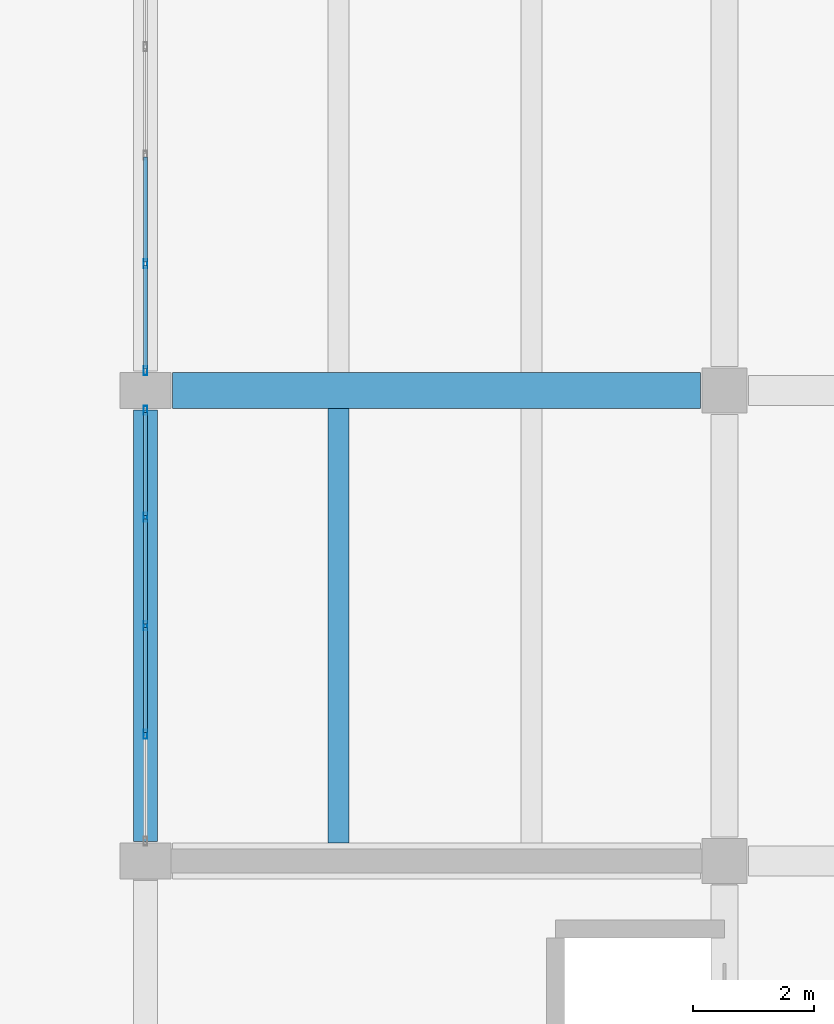
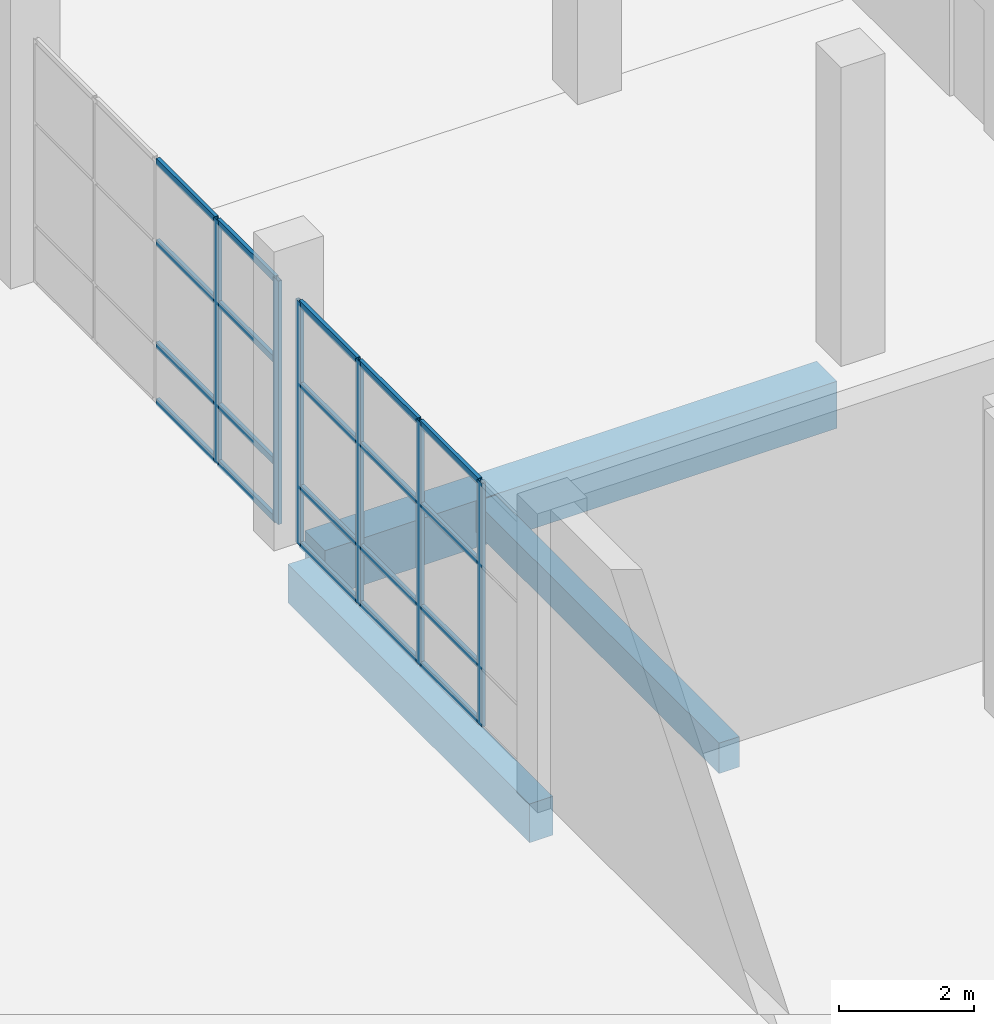
# One storey, part 37 of 78: 26 members, 3 beams, 2 elements without a shape of their own.
"""IFC4 building model written with IfcOpenShell, lengths in metres."""

from ifc_helpers import new_model, si_unit, direction, frame, origin, origin_2d, place, context, subcontext, project, spatial, rectangle, hollow_rectangle, extrude, material, material_profile, profile_set, type_object, element, aggregate, save


model = new_model("IFC4")

# Units and contexts
model_context = context("Model", 3, precision=1e-05, world=origin(), true_north=direction((0.0, 1.0)))
body_context = subcontext(model_context, "Body", "Model", "MODEL_VIEW")
ifc_project = project(units=[si_unit("LENGTHUNIT", "METRE"), si_unit("AREAUNIT", "SQUARE_METRE"), si_unit("VOLUMEUNIT", "CUBIC_METRE"), si_unit("PLANEANGLEUNIT", "RADIAN"), si_unit("MASSUNIT", "GRAM", prefix="KILO")], contexts=[model_context])

# Site, building, storey
site_placement = place(None, origin())
site = spatial("IfcSite", under=ifc_project, at=site_placement, CompositionType="ELEMENT")
building_placement = place(site_placement, origin())
building = spatial("IfcBuilding", under=site, at=building_placement, Name="Pellamere Symphony Hall", CompositionType="ELEMENT")
storey_placement = place(building_placement, origin())
storey = spatial("IfcBuildingStorey", under=building, at=storey_placement, Name="L00", CompositionType="ELEMENT", Elevation=0.0)

# Curtain wall, members
ifc_material_1 = material(Name="Thermally Broken Anodised Aluminium 6063-T6 Curtain Wall", Category="aluminium")
curtain_wall_type = type_object("IfcCurtainWallType", Name="Curtain Wall CW-05 (Artists Wing North Studio Ribbon Curtain Wall)", PredefinedType="NOTDEFINED", material=ifc_material_1)
curtain_wall_1_placement = place(storey_placement, origin())
curtain_wall_1 = element("IfcCurtainWall", 1, at=curtain_wall_1_placement, inside=storey, type_object=curtain_wall_type, Name="Sculpture Court East Wing Curtain Wall (L00 Bay 1)", PredefinedType="NOTDEFINED")
ifc_material_2 = material(Name="Anodised Architectural Aluminium 6063-T6", Category="aluminium")
ifc_material_profile_1 = material_profile(ifc_material_2, hollow_rectangle(XDim=0.06005859375, YDim=0.14990234375, WallThickness=0.00390625, at=origin_2d()), Name="ALU-M60X150X4")
ifc_profile_set_1 = profile_set([ifc_material_profile_1], Name="Anodised Architectural Aluminium 6063-T6")
member_type_1 = type_object("IfcMemberType", Name="Curtain Wall Mullion ML-03 ALU-M60X150X4", PredefinedType="MULLION", material=ifc_profile_set_1)
member_1_placement = place(storey_placement, frame((138.0, 63.89990234375, 0.0), z_axis=(0.0, 0.0, 1.0), x_axis=(-1.0, 0.0, 0.0)))
member_1 = element("IfcMember", 2, at=member_1_placement, type_object=member_type_1, Name="CW5-126 crystal mullion 2", PredefinedType="MULLION", context=body_context, shape_type="SweptSolid", body=[
    extrude(hollow_rectangle(XDim=0.06005859375, YDim=0.14990234375, WallThickness=0.00390625, at=origin_2d()), origin(), (0.0, 0.0, 1.0), 4.39990234375),
])
member_2_placement = place(storey_placement, frame((138.0, 65.699951171875, 0.0), z_axis=(0.0, 0.0, 1.0), x_axis=(-1.0, 0.0, 0.0)))
member_2 = element("IfcMember", 3, at=member_2_placement, type_object=member_type_1, Name="CW5-126 crystal mullion 3", PredefinedType="MULLION", context=body_context, shape_type="SweptSolid", body=[
    extrude(hollow_rectangle(XDim=0.06005859375, YDim=0.14990234375, WallThickness=0.00390625, at=origin_2d()), origin(), (0.0, 0.0, 1.0), 4.39990234375),
])
member_3_placement = place(storey_placement, frame((138.0, 67.5, 0.0), z_axis=(0.0, 0.0, 1.0), x_axis=(-1.0, 0.0, 0.0)))
member_3 = element("IfcMember", 4, at=member_3_placement, type_object=member_type_1, Name="CW5-126 crystal mullion 4", PredefinedType="MULLION", context=body_context, shape_type="SweptSolid", body=[
    extrude(hollow_rectangle(XDim=0.06005859375, YDim=0.14990234375, WallThickness=0.00390625, at=origin_2d()), origin(), (0.0, 0.0, 1.0), 4.39990234375),
])
member_4_placement = place(storey_placement, frame((138.0, 69.27001953125, 0.0), z_axis=(0.0, 0.0, 1.0), x_axis=(-1.0, 0.0, 0.0)))
member_4 = element("IfcMember", 5, at=member_4_placement, type_object=member_type_1, Name="CW5-126 crystal mullion 5", PredefinedType="MULLION", context=body_context, shape_type="SweptSolid", body=[
    extrude(hollow_rectangle(XDim=0.06005859375, YDim=0.14990234375, WallThickness=0.00390625, at=origin_2d()), origin(), (0.0, 0.0, 1.0), 4.39990234375),
])

curtain_wall_2_placement = place(storey_placement, origin())
curtain_wall_2 = element("IfcCurtainWall", 6, at=curtain_wall_2_placement, inside=storey, type_object=curtain_wall_type, Name="Sculpture Court East Wing Curtain Wall (L00 Bay 2)", PredefinedType="NOTDEFINED")
member_5_placement = place(storey_placement, frame((138.0, 69.929931640625, 0.0), z_axis=(0.0, 0.0, 1.0), x_axis=(-1.0, 0.0, 0.0)))
member_5 = element("IfcMember", 7, at=member_5_placement, type_object=member_type_1, Name="CW5-127 crystal mullion 1", PredefinedType="MULLION", context=body_context, shape_type="SweptSolid", body=[
    extrude(hollow_rectangle(XDim=0.06005859375, YDim=0.14990234375, WallThickness=0.00390625, at=origin_2d()), origin(), (0.0, 0.0, 1.0), 4.39990234375),
])
member_6_placement = place(storey_placement, frame((138.0, 71.699951171875, 0.0), z_axis=(0.0, 0.0, 1.0), x_axis=(-1.0, 0.0, 0.0)))
member_6 = element("IfcMember", 8, at=member_6_placement, type_object=member_type_1, Name="CW5-127 crystal mullion 2", PredefinedType="MULLION", context=body_context, shape_type="SweptSolid", body=[
    extrude(hollow_rectangle(XDim=0.06005859375, YDim=0.14990234375, WallThickness=0.00390625, at=origin_2d()), origin(), (0.0, 0.0, 1.0), 4.39990234375),
])

# Member
ifc_material_profile_2 = material_profile(ifc_material_2, hollow_rectangle(XDim=0.06005859375, YDim=0.1201171875, WallThickness=0.00390625, at=origin_2d()), Name="ALU-T60X120X4")
ifc_profile_set_2 = profile_set([ifc_material_profile_2], Name="Anodised Architectural Aluminium 6063-T6")
member_type_2 = type_object("IfcMemberType", Name="Curtain Wall Transom TR-03 ALU-T60X120X4", PredefinedType="USERDEFINED", material=ifc_profile_set_2)
member_7_placement = place(storey_placement, frame((138.0, 63.929931640625, 0.030029296875), z_axis=(0.0, 1.0, 0.0), x_axis=(-1.0, 0.0, 0.0)))
member_7 = element("IfcMember", 9, at=member_7_placement, type_object=member_type_2, Name="CW5-126 crystal transom 2.1", ObjectType="TRANSOM", PredefinedType="USERDEFINED", context=body_context, shape_type="SweptSolid", body=[
    extrude(hollow_rectangle(XDim=0.06005859375, YDim=0.1201171875, WallThickness=0.00390625, at=origin_2d()), origin(), (0.0, 0.0, 1.0), 1.739990234375),
])

member_8_placement = place(storey_placement, frame((138.0, 63.929931640625, 1.055908203125), z_axis=(0.0, 1.0, 0.0), x_axis=(-1.0, 0.0, 0.0)))
member_8 = element("IfcMember", 10, at=member_8_placement, type_object=member_type_2, Name="CW5-126 crystal transom 2.2", ObjectType="TRANSOM", PredefinedType="USERDEFINED", context=body_context, shape_type="SweptSolid", body=[
    extrude(hollow_rectangle(XDim=0.06005859375, YDim=0.1201171875, WallThickness=0.00390625, at=origin_2d()), origin(), (0.0, 0.0, 1.0), 1.739990234375),
])

member_9_placement = place(storey_placement, frame((138.0, 63.929931640625, 2.904052734375), z_axis=(0.0, 1.0, 0.0), x_axis=(-1.0, 0.0, 0.0)))
member_9 = element("IfcMember", 11, at=member_9_placement, type_object=member_type_2, Name="CW5-126 crystal transom 2.3", ObjectType="TRANSOM", PredefinedType="USERDEFINED", context=body_context, shape_type="SweptSolid", body=[
    extrude(hollow_rectangle(XDim=0.06005859375, YDim=0.1201171875, WallThickness=0.00390625, at=origin_2d()), origin(), (0.0, 0.0, 1.0), 1.739990234375),
])

member_10_placement = place(storey_placement, frame((138.0, 63.929931640625, 4.3701171875), z_axis=(0.0, 1.0, 0.0), x_axis=(-1.0, 0.0, 0.0)))
member_10 = element("IfcMember", 12, at=member_10_placement, type_object=member_type_2, Name="CW5-126 crystal transom 2.4", ObjectType="TRANSOM", PredefinedType="USERDEFINED", context=body_context, shape_type="SweptSolid", body=[
    extrude(hollow_rectangle(XDim=0.06005859375, YDim=0.1201171875, WallThickness=0.00390625, at=origin_2d()), origin(), (0.0, 0.0, 1.0), 1.739990234375),
])

member_11_placement = place(storey_placement, frame((138.0, 65.72998046875, 0.030029296875), z_axis=(0.0, 1.0, 0.0), x_axis=(-1.0, 0.0, 0.0)))
member_11 = element("IfcMember", 13, at=member_11_placement, type_object=member_type_2, Name="CW5-126 crystal transom 3.1", ObjectType="TRANSOM", PredefinedType="USERDEFINED", context=body_context, shape_type="SweptSolid", body=[
    extrude(hollow_rectangle(XDim=0.06005859375, YDim=0.1201171875, WallThickness=0.00390625, at=origin_2d()), origin(), (0.0, 0.0, 1.0), 1.739990234375),
])

member_12_placement = place(storey_placement, frame((138.0, 65.72998046875, 1.055908203125), z_axis=(0.0, 1.0, 0.0), x_axis=(-1.0, 0.0, 0.0)))
member_12 = element("IfcMember", 14, at=member_12_placement, type_object=member_type_2, Name="CW5-126 crystal transom 3.2", ObjectType="TRANSOM", PredefinedType="USERDEFINED", context=body_context, shape_type="SweptSolid", body=[
    extrude(hollow_rectangle(XDim=0.06005859375, YDim=0.1201171875, WallThickness=0.00390625, at=origin_2d()), origin(), (0.0, 0.0, 1.0), 1.739990234375),
])

member_13_placement = place(storey_placement, frame((138.0, 65.72998046875, 2.904052734375), z_axis=(0.0, 1.0, 0.0), x_axis=(-1.0, 0.0, 0.0)))
member_13 = element("IfcMember", 15, at=member_13_placement, type_object=member_type_2, Name="CW5-126 crystal transom 3.3", ObjectType="TRANSOM", PredefinedType="USERDEFINED", context=body_context, shape_type="SweptSolid", body=[
    extrude(hollow_rectangle(XDim=0.06005859375, YDim=0.1201171875, WallThickness=0.00390625, at=origin_2d()), origin(), (0.0, 0.0, 1.0), 1.739990234375),
])

member_14_placement = place(storey_placement, frame((138.0, 65.72998046875, 4.3701171875), z_axis=(0.0, 1.0, 0.0), x_axis=(-1.0, 0.0, 0.0)))
member_14 = element("IfcMember", 16, at=member_14_placement, type_object=member_type_2, Name="CW5-126 crystal transom 3.4", ObjectType="TRANSOM", PredefinedType="USERDEFINED", context=body_context, shape_type="SweptSolid", body=[
    extrude(hollow_rectangle(XDim=0.06005859375, YDim=0.1201171875, WallThickness=0.00390625, at=origin_2d()), origin(), (0.0, 0.0, 1.0), 1.739990234375),
])

member_15_placement = place(storey_placement, frame((138.0, 67.530029296875, 0.030029296875), z_axis=(0.0, 1.0, 0.0), x_axis=(-1.0, 0.0, 0.0)))
member_15 = element("IfcMember", 17, at=member_15_placement, type_object=member_type_2, Name="CW5-126 crystal transom 4.1", ObjectType="TRANSOM", PredefinedType="USERDEFINED", context=body_context, shape_type="SweptSolid", body=[
    extrude(hollow_rectangle(XDim=0.06005859375, YDim=0.1201171875, WallThickness=0.00390625, at=origin_2d()), origin(), (0.0, 0.0, 1.0), 1.7099609375),
])

member_16_placement = place(storey_placement, frame((138.0, 67.530029296875, 1.055908203125), z_axis=(0.0, 1.0, 0.0), x_axis=(-1.0, 0.0, 0.0)))
member_16 = element("IfcMember", 18, at=member_16_placement, type_object=member_type_2, Name="CW5-126 crystal transom 4.2", ObjectType="TRANSOM", PredefinedType="USERDEFINED", context=body_context, shape_type="SweptSolid", body=[
    extrude(hollow_rectangle(XDim=0.06005859375, YDim=0.1201171875, WallThickness=0.00390625, at=origin_2d()), origin(), (0.0, 0.0, 1.0), 1.7099609375),
])

member_17_placement = place(storey_placement, frame((138.0, 67.530029296875, 2.904052734375), z_axis=(0.0, 1.0, 0.0), x_axis=(-1.0, 0.0, 0.0)))
member_17 = element("IfcMember", 19, at=member_17_placement, type_object=member_type_2, Name="CW5-126 crystal transom 4.3", ObjectType="TRANSOM", PredefinedType="USERDEFINED", context=body_context, shape_type="SweptSolid", body=[
    extrude(hollow_rectangle(XDim=0.06005859375, YDim=0.1201171875, WallThickness=0.00390625, at=origin_2d()), origin(), (0.0, 0.0, 1.0), 1.7099609375),
])

member_18_placement = place(storey_placement, frame((138.0, 67.530029296875, 4.3701171875), z_axis=(0.0, 1.0, 0.0), x_axis=(-1.0, 0.0, 0.0)))
member_18 = element("IfcMember", 20, at=member_18_placement, type_object=member_type_2, Name="CW5-126 crystal transom 4.4", ObjectType="TRANSOM", PredefinedType="USERDEFINED", context=body_context, shape_type="SweptSolid", body=[
    extrude(hollow_rectangle(XDim=0.06005859375, YDim=0.1201171875, WallThickness=0.00390625, at=origin_2d()), origin(), (0.0, 0.0, 1.0), 1.7099609375),
])

aggregate(curtain_wall_1, [member_1, member_2, member_3, member_4, member_7, member_8, member_9, member_10, member_11, member_12, member_13, member_14, member_15, member_16, member_17, member_18])

member_19_placement = place(storey_placement, frame((138.0, 69.9599609375, 0.030029296875), z_axis=(0.0, 1.0, 0.0), x_axis=(-1.0, 0.0, 0.0)))
member_19 = element("IfcMember", 21, at=member_19_placement, type_object=member_type_2, Name="CW5-127 crystal transom 1.1", ObjectType="TRANSOM", PredefinedType="USERDEFINED", context=body_context, shape_type="SweptSolid", body=[
    extrude(hollow_rectangle(XDim=0.06005859375, YDim=0.1201171875, WallThickness=0.00390625, at=origin_2d()), origin(), (0.0, 0.0, 1.0), 1.7099609375),
])

member_20_placement = place(storey_placement, frame((138.0, 69.9599609375, 1.055908203125), z_axis=(0.0, 1.0, 0.0), x_axis=(-1.0, 0.0, 0.0)))
member_20 = element("IfcMember", 22, at=member_20_placement, type_object=member_type_2, Name="CW5-127 crystal transom 1.2", ObjectType="TRANSOM", PredefinedType="USERDEFINED", context=body_context, shape_type="SweptSolid", body=[
    extrude(hollow_rectangle(XDim=0.06005859375, YDim=0.1201171875, WallThickness=0.00390625, at=origin_2d()), origin(), (0.0, 0.0, 1.0), 1.7099609375),
])

member_21_placement = place(storey_placement, frame((138.0, 69.9599609375, 2.904052734375), z_axis=(0.0, 1.0, 0.0), x_axis=(-1.0, 0.0, 0.0)))
member_21 = element("IfcMember", 23, at=member_21_placement, type_object=member_type_2, Name="CW5-127 crystal transom 1.3", ObjectType="TRANSOM", PredefinedType="USERDEFINED", context=body_context, shape_type="SweptSolid", body=[
    extrude(hollow_rectangle(XDim=0.06005859375, YDim=0.1201171875, WallThickness=0.00390625, at=origin_2d()), origin(), (0.0, 0.0, 1.0), 1.7099609375),
])

member_22_placement = place(storey_placement, frame((138.0, 69.9599609375, 4.3701171875), z_axis=(0.0, 1.0, 0.0), x_axis=(-1.0, 0.0, 0.0)))
member_22 = element("IfcMember", 24, at=member_22_placement, type_object=member_type_2, Name="CW5-127 crystal transom 1.4", ObjectType="TRANSOM", PredefinedType="USERDEFINED", context=body_context, shape_type="SweptSolid", body=[
    extrude(hollow_rectangle(XDim=0.06005859375, YDim=0.1201171875, WallThickness=0.00390625, at=origin_2d()), origin(), (0.0, 0.0, 1.0), 1.7099609375),
])

member_23_placement = place(storey_placement, frame((138.0, 71.72998046875, 0.030029296875), z_axis=(0.0, 1.0, 0.0), x_axis=(-1.0, 0.0, 0.0)))
member_23 = element("IfcMember", 25, at=member_23_placement, type_object=member_type_2, Name="CW5-127 crystal transom 2.1", ObjectType="TRANSOM", PredefinedType="USERDEFINED", context=body_context, shape_type="SweptSolid", body=[
    extrude(hollow_rectangle(XDim=0.06005859375, YDim=0.1201171875, WallThickness=0.00390625, at=origin_2d()), origin(), (0.0, 0.0, 1.0), 1.739990234375),
])

member_24_placement = place(storey_placement, frame((138.0, 71.72998046875, 1.055908203125), z_axis=(0.0, 1.0, 0.0), x_axis=(-1.0, 0.0, 0.0)))
member_24 = element("IfcMember", 26, at=member_24_placement, type_object=member_type_2, Name="CW5-127 crystal transom 2.2", ObjectType="TRANSOM", PredefinedType="USERDEFINED", context=body_context, shape_type="SweptSolid", body=[
    extrude(hollow_rectangle(XDim=0.06005859375, YDim=0.1201171875, WallThickness=0.00390625, at=origin_2d()), origin(), (0.0, 0.0, 1.0), 1.739990234375),
])

member_25_placement = place(storey_placement, frame((138.0, 71.72998046875, 2.904052734375), z_axis=(0.0, 1.0, 0.0), x_axis=(-1.0, 0.0, 0.0)))
member_25 = element("IfcMember", 27, at=member_25_placement, type_object=member_type_2, Name="CW5-127 crystal transom 2.3", ObjectType="TRANSOM", PredefinedType="USERDEFINED", context=body_context, shape_type="SweptSolid", body=[
    extrude(hollow_rectangle(XDim=0.06005859375, YDim=0.1201171875, WallThickness=0.00390625, at=origin_2d()), origin(), (0.0, 0.0, 1.0), 1.739990234375),
])

member_26_placement = place(storey_placement, frame((138.0, 71.72998046875, 4.3701171875), z_axis=(0.0, 1.0, 0.0), x_axis=(-1.0, 0.0, 0.0)))
member_26 = element("IfcMember", 28, at=member_26_placement, type_object=member_type_2, Name="CW5-127 crystal transom 2.4", ObjectType="TRANSOM", PredefinedType="USERDEFINED", context=body_context, shape_type="SweptSolid", body=[
    extrude(hollow_rectangle(XDim=0.06005859375, YDim=0.1201171875, WallThickness=0.00390625, at=origin_2d()), origin(), (0.0, 0.0, 1.0), 1.739990234375),
])

aggregate(curtain_wall_2, [member_5, member_6, member_19, member_20, member_21, member_22, member_23, member_24, member_25, member_26])

# Beams
ifc_material_3 = material(Name="Concrete 40 MPa", Category="concrete")
ifc_material_profile_3 = material_profile(ifc_material_3, rectangle(XDim=0.60009765625, YDim=0.85009765625, at=origin_2d()), Name="RC 600x850")
ifc_profile_set_3 = profile_set([ifc_material_profile_3], Name="Concrete 40 MPa")
beam_type_1 = type_object("IfcBeamType", Name="RC CB-04 600x850", PredefinedType="BEAM", material=ifc_profile_set_3)
beam_1_placement = place(storey_placement, frame((138.449951171875, 69.60009765625, -0.72509765625), z_axis=(1.0, 0.0, 0.0), x_axis=(0.0, 1.0, 0.0)))
element("IfcBeam", 29, at=beam_1_placement, inside=storey, type_object=beam_type_1, Name="Girder CB-04-X0132 (L00)", PredefinedType="BEAM", context=body_context, shape_type="SweptSolid", body=[
    extrude(rectangle(XDim=0.60009765625, YDim=0.85009765625, at=origin_2d()), origin(), (0.0, 0.0, 1.0), 8.75),
])
ifc_material_4 = material(Name="Concrete 35 MPa", Category="concrete")
ifc_material_profile_4 = material_profile(ifc_material_4, rectangle(XDim=0.35009765625, YDim=0.550048828125, at=origin_2d()), Name="RC 350x550")
ifc_profile_set_4 = profile_set([ifc_material_profile_4], Name="Concrete 35 MPa")
beam_type_2 = type_object("IfcBeamType", Name="RC CB-10 350x550", PredefinedType="BEAM", material=ifc_profile_set_4)
beam_2_placement = place(storey_placement, frame((141.199951171875, 62.10009765625, -0.590087890625), z_axis=(0.0, 1.0, 0.0), x_axis=(-1.0, 0.0, 0.0)))
element("IfcBeam", 30, at=beam_2_placement, inside=storey, type_object=beam_type_2, Name="Secondary Floor Beam CB-10-A1708 (L00)", PredefinedType="BEAM", context=body_context, shape_type="SweptSolid", body=[
    extrude(rectangle(XDim=0.35009765625, YDim=0.550048828125, at=origin_2d()), origin(), (0.0, 0.0, 1.0), 7.199951171875),
])
ifc_material_profile_5 = material_profile(ifc_material_3, rectangle(XDim=0.39990234375, YDim=0.699951171875, at=origin_2d()), Name="RC 400x700")
ifc_profile_set_5 = profile_set([ifc_material_profile_5], Name="Concrete 40 MPa")
beam_type_3 = type_object("IfcBeamType", Name="RC CB-13 400x700", PredefinedType="SPANDREL", material=ifc_profile_set_5)
beam_3_placement = place(storey_placement, frame((138.0, 62.125, -0.64990234375), z_axis=(0.0, 1.0, 0.0), x_axis=(-1.0, 0.0, 0.0)))
element("IfcBeam", 31, at=beam_3_placement, inside=storey, type_object=beam_type_3, Name="Girder CB-13-Y0341 (L00)", PredefinedType="SPANDREL", context=body_context, shape_type="SweptSolid", body=[
    extrude(rectangle(XDim=0.39990234375, YDim=0.699951171875, at=origin_2d()), origin(), (0.0, 0.0, 1.0), 7.14990234375),
])

save(model, "model.ifc")
